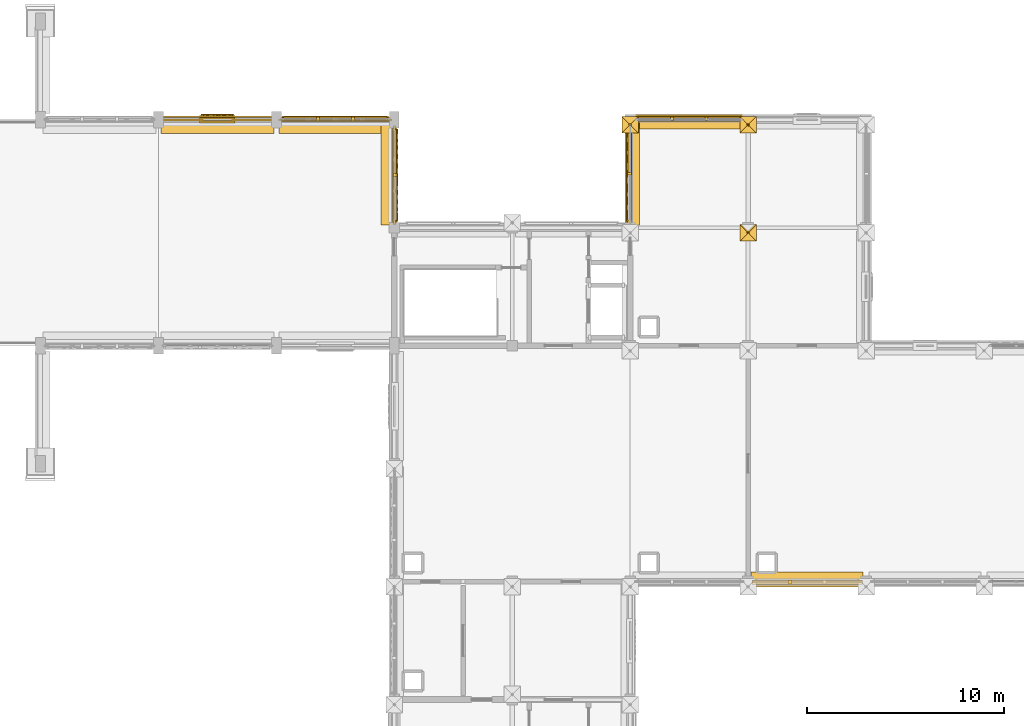
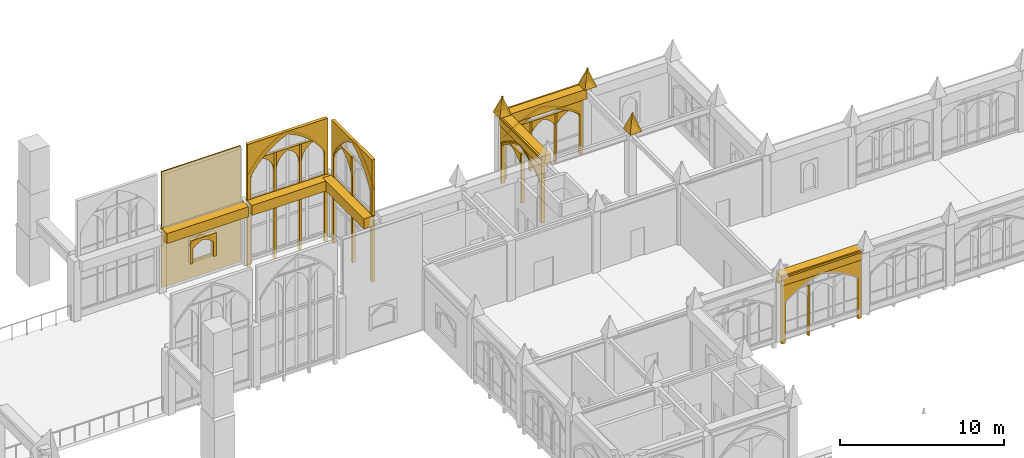
# One storey, part 102 of 108: 50 coverings.
"""IFC4 building model written with IfcOpenShell, lengths in metres."""

from ifc_helpers import new_model, si_unit, direction, frame, origin, origin_2d, place, context, subcontext, project, spatial, polyline, rectangle, outline, extrude, material, type_object, element, save


model = new_model("IFC4")

# Units and contexts
model_context = context("Model", 3, precision=1e-05, world=origin(), true_north=direction((0.0, 1.0)))
body_context = subcontext(model_context, "Body", "Model", "MODEL_VIEW")
ifc_project = project(units=[si_unit("LENGTHUNIT", "METRE"), si_unit("AREAUNIT", "SQUARE_METRE"), si_unit("VOLUMEUNIT", "CUBIC_METRE"), si_unit("PLANEANGLEUNIT", "RADIAN"), si_unit("MASSUNIT", "GRAM", prefix="KILO")], contexts=[model_context])

# Site, building, storey
site_placement = place(None, origin())
site = spatial("IfcSite", under=ifc_project, at=site_placement, CompositionType="ELEMENT")
building_placement = place(site_placement, origin())
building = spatial("IfcBuilding", under=site, at=building_placement, Name="Cumevento Cable Car Station", CompositionType="ELEMENT")
storey_placement = place(building_placement, frame((0.0, 0.0, 13.5)))
storey = spatial("IfcBuildingStorey", under=building, at=storey_placement, Name="L04", CompositionType="ELEMENT", Elevation=13.5)

# Coverings
ifc_material = material(Name="Gnaisse Facoidal Stone Ashlar 85 MPa", Category="masonry")
covering_type = type_object("IfcCoveringType", Name="Gnaisse Ashlar Cladding CV-CL01", PredefinedType="CLADDING", material=ifc_material)
for number, where, z_axis, x_axis, name in (
    (1, (129.580078125, 56.659912109375, 4.8701171875), (0.0, 0.951573760476, 0.30742052367), (1.0, 0.0, 0.0), "Gothic Buttress Pinnacle Spire Facet 1 bt:130.0:56.5"),
    (2, (130.419921875, 56.659912109375, 4.8701171875), (0.951573760476, 0.0, 0.30742052367), (0.0, -1.0, 0.0), "Gothic Buttress Pinnacle Spire Facet 2 bt:130.0:56.5"),
    (3, (130.419921875, 55.820068359375, 4.8701171875), (0.0, -0.951573760476, 0.30742052367), (-1.0, 0.0, 0.0), "Gothic Buttress Pinnacle Spire Facet 3 bt:130.0:56.5"),
    (4, (129.580078125, 55.820068359375, 4.8701171875), (-0.951573760476, 0.0, 0.30742052367), (0.0, 1.0, 0.0), "Gothic Buttress Pinnacle Spire Facet 4 bt:130.0:56.5"),
    (5, (136.419921875, 51.159912109375, 4.8701171875), (0.951573760476, 0.0, 0.30742052367), (0.0, -1.0, 0.0), "Gothic Buttress Pinnacle Spire Facet 2 bt:136.0:51.0"),
    (6, (136.419921875, 50.320068359375, 4.8701171875), (0.0, -0.951573760476, 0.30742052367), (-1.0, 0.0, 0.0), "Gothic Buttress Pinnacle Spire Facet 3 bt:136.0:51.0"),
    (7, (135.580078125, 50.320068359375, 4.8701171875), (-0.951573760476, 0.0, 0.30742052367), (0.0, 1.0, 0.0), "Gothic Buttress Pinnacle Spire Facet 4 bt:136.0:51.0"),
    (8, (135.580078125, 56.659912109375, 4.8701171875), (0.0, 0.951573760476, 0.30742052367), (1.0, 0.0, 0.0), "Gothic Buttress Pinnacle Spire Facet 1 bt:136.0:56.5"),
    (9, (136.419921875, 56.659912109375, 4.8701171875), (0.951573760476, 0.0, 0.30742052367), (0.0, -1.0, 0.0), "Gothic Buttress Pinnacle Spire Facet 2 bt:136.0:56.5"),
    (10, (136.419921875, 55.820068359375, 4.8701171875), (0.0, -0.951573760476, 0.30742052367), (-1.0, 0.0, 0.0), "Gothic Buttress Pinnacle Spire Facet 3 bt:136.0:56.5"),
    (11, (135.580078125, 55.820068359375, 4.8701171875), (-0.951573760476, 0.0, 0.30742052367), (0.0, 1.0, 0.0), "Gothic Buttress Pinnacle Spire Facet 4 bt:136.0:56.5"),
):
    element("IfcCovering", number, at=place(storey_placement, frame(where, z_axis=z_axis, x_axis=x_axis)), inside=storey, type_object=covering_type, Name=name, PredefinedType="CLADDING", context=body_context, shape_type="SweptSolid", body=[
        extrude(outline(polyline([(0.0, 0.0), (0.83984375, 0.0), (0.419921875, -1.3659526370817139), (0.0, 0.0)])), origin(), (0.0, 0.0, -1.0), 0.0849609375),
    ])
covering_1_placement = place(storey_placement, frame((109.0, 56.1298828125, 3.782958984375), z_axis=(0.0, 0.0, 1.0), x_axis=(1.0, 0.0, 0.0)))
element("IfcCovering", 12, at=covering_1_placement, inside=storey, type_object=covering_type, Name="Gothic Stone Spandrel Stringcourse sc:0741", PredefinedType="CLADDING", context=body_context, shape_type="SweptSolid", body=[
    extrude(rectangle(XDim=5.739990234375, YDim=0.659912109375, at=origin_2d()), origin(), (0.0, 0.0, 1.0), 0.7470703125),
])
covering_2_placement = place(storey_placement, frame((109.0, 56.487548828125, 4.400146484375), z_axis=(0.0, 0.0, 1.0), x_axis=(1.0, 0.0, 0.0)))
element("IfcCovering", 13, at=covering_2_placement, inside=storey, type_object=covering_type, Name="Gothic Cornice Dripstone Lip sc:0741", PredefinedType="CLADDING", context=body_context, shape_type="SweptSolid", body=[
    extrude(rectangle(XDim=5.780029296875, YDim=0.114990234375, at=origin_2d()), origin(), (0.0, 0.0, 1.0), 0.1298828125),
])
covering_3_placement = place(storey_placement, frame((115.0, 56.1298828125, 3.782958984375), z_axis=(0.0, 0.0, 1.0), x_axis=(1.0, 0.0, 0.0)))
element("IfcCovering", 14, at=covering_3_placement, inside=storey, type_object=covering_type, Name="Gothic Stone Spandrel Stringcourse sc:0742", PredefinedType="CLADDING", context=body_context, shape_type="SweptSolid", body=[
    extrude(rectangle(XDim=5.739990234375, YDim=0.659912109375, at=origin_2d()), origin(), (0.0, 0.0, 1.0), 0.7470703125),
])
covering_4_placement = place(storey_placement, frame((115.0, 56.487548828125, 4.400146484375), z_axis=(0.0, 0.0, 1.0), x_axis=(1.0, 0.0, 0.0)))
element("IfcCovering", 15, at=covering_4_placement, inside=storey, type_object=covering_type, Name="Gothic Cornice Dripstone Lip sc:0742", PredefinedType="CLADDING", context=body_context, shape_type="SweptSolid", body=[
    extrude(rectangle(XDim=5.780029296875, YDim=0.114990234375, at=origin_2d()), origin(), (0.0, 0.0, 1.0), 0.1298828125),
])
covering_5_placement = place(storey_placement, frame((117.64990234375, 53.675048828125, 3.782958984375), z_axis=(0.0, 0.0, 1.0), x_axis=(0.0, -1.0, 0.0)))
element("IfcCovering", 16, at=covering_5_placement, inside=storey, type_object=covering_type, Name="Gothic Stone Spandrel Stringcourse sc:0743", PredefinedType="CLADDING", context=body_context, shape_type="SweptSolid", body=[
    extrude(rectangle(XDim=5.0400390625, YDim=0.659912109375, at=origin_2d()), origin(), (0.0, 0.0, 1.0), 0.7470703125),
])
covering_6_placement = place(storey_placement, frame((118.007568359375, 53.675048828125, 4.400146484375), z_axis=(0.0, 0.0, 1.0), x_axis=(0.0, -1.0, 0.0)))
element("IfcCovering", 17, at=covering_6_placement, inside=storey, type_object=covering_type, Name="Gothic Cornice Dripstone Lip sc:0743", PredefinedType="CLADDING", context=body_context, shape_type="SweptSolid", body=[
    extrude(rectangle(XDim=5.080078125, YDim=0.114990234375, at=origin_2d()), origin(), (0.0, 0.0, 1.0), 0.1298828125),
])
covering_7_placement = place(storey_placement, frame((139.0, 33.14990234375, 4.032958984375), z_axis=(0.0, 0.0, 1.0), x_axis=(-1.0, 0.0, 0.0)))
element("IfcCovering", 18, at=covering_7_placement, inside=storey, type_object=covering_type, Name="Gothic Stone Spandrel Stringcourse sc:0760", PredefinedType="CLADDING", context=body_context, shape_type="SweptSolid", body=[
    extrude(rectangle(XDim=5.68994140625, YDim=0.659912109375, at=origin_2d()), origin(), (0.0, 0.0, 1.0), 0.7470703125),
])
covering_8_placement = place(storey_placement, frame((139.0, 32.79248046875, 4.650146484375), z_axis=(0.0, 0.0, 1.0), x_axis=(-1.0, 0.0, 0.0)))
element("IfcCovering", 19, at=covering_8_placement, inside=storey, type_object=covering_type, Name="Gothic Cornice Dripstone Lip sc:0760", PredefinedType="CLADDING", context=body_context, shape_type="SweptSolid", body=[
    extrude(rectangle(XDim=5.72998046875, YDim=0.114990234375, at=origin_2d()), origin(), (0.0, 0.0, 1.0), 0.1298828125),
])
covering_9_placement = place(storey_placement, frame((133.0, 56.35009765625, 4.032958984375), z_axis=(0.0, 0.0, 1.0), x_axis=(1.0, 0.0, 0.0)))
element("IfcCovering", 20, at=covering_9_placement, inside=storey, type_object=covering_type, Name="Gothic Stone Spandrel Stringcourse sc:0773", PredefinedType="CLADDING", context=body_context, shape_type="SweptSolid", body=[
    extrude(rectangle(XDim=5.68994140625, YDim=0.659912109375, at=origin_2d()), origin(), (0.0, 0.0, 1.0), 0.7470703125),
])
covering_10_placement = place(storey_placement, frame((133.0, 56.70751953125, 4.650146484375), z_axis=(0.0, 0.0, 1.0), x_axis=(1.0, 0.0, 0.0)))
element("IfcCovering", 21, at=covering_10_placement, inside=storey, type_object=covering_type, Name="Gothic Cornice Dripstone Lip sc:0773", PredefinedType="CLADDING", context=body_context, shape_type="SweptSolid", body=[
    extrude(rectangle(XDim=5.72998046875, YDim=0.114990234375, at=origin_2d()), origin(), (0.0, 0.0, 1.0), 0.1298828125),
])
covering_11_placement = place(storey_placement, frame((130.14990234375, 53.75, 4.032958984375), z_axis=(0.0, 0.0, 1.0), x_axis=(0.0, 1.0, 0.0)))
element("IfcCovering", 22, at=covering_11_placement, inside=storey, type_object=covering_type, Name="Gothic Stone Spandrel Stringcourse sc:0775", PredefinedType="CLADDING", context=body_context, shape_type="SweptSolid", body=[
    extrude(rectangle(XDim=5.18994140625, YDim=0.659912109375, at=origin_2d()), origin(), (0.0, 0.0, 1.0), 0.7470703125),
])
covering_12_placement = place(storey_placement, frame((129.79248046875, 53.75, 4.650146484375), z_axis=(0.0, 0.0, 1.0), x_axis=(0.0, 1.0, 0.0)))
element("IfcCovering", 23, at=covering_12_placement, inside=storey, type_object=covering_type, Name="Gothic Cornice Dripstone Lip sc:0775", PredefinedType="CLADDING", context=body_context, shape_type="SweptSolid", body=[
    extrude(rectangle(XDim=5.22998046875, YDim=0.114990234375, at=origin_2d()), origin(), (0.0, 0.0, 1.0), 0.1298828125),
])
placement_1 = place(storey_placement, frame((112.25, 56.5, -0.469970703125), z_axis=(0.0, 0.0, 1.0), x_axis=(1.0, 0.0, 0.0)))
element("IfcCovering", 24, at=placement_1, inside=storey, type_object=covering_type, Name="Gothic Ogival Pointed-Arch Stone Spandrel cw_ogival:0169", PredefinedType="CLADDING", context=body_context, shape_type="SweptSolid", body=[
    extrude(outline(polyline([(-0.080078125, 0.0), (-0.080078125, 9.14306640625), (5.580078125, 9.14306640625), (5.580078125, 0.0), (5.340087890625, 0.0), (5.340087890625, 6.712890625), (5.10400390625, 7.078125), (4.8388671875, 7.422607421875), (4.546630859375, 7.74462890625), (4.22900390625, 8.04150390625), (3.88818359375, 8.3115234375), (3.5263671875, 8.552734375), (3.146240234375, 8.763916015625), (2.75, 8.943115234375), (2.353759765625, 8.763916015625), (1.9736328125, 8.552734375), (1.61181640625, 8.3115234375), (1.27099609375, 8.04150390625), (0.953369140625, 7.74462890625), (0.6611328125, 7.422607421875), (0.39599609375, 7.078125), (0.159912109375, 6.712890625), (0.159912109375, 0.0), (-0.080078125, 0.0)])), frame((0.0, 0.139892578125, 0.0), z_axis=(0.0, -1.0, 0.0), x_axis=(1.0, 0.0, 0.0)), (0.0, 0.0, 1.0), 0.219970703125),
])
covering_14_placement = place(storey_placement, frame((112.25, 56.5, 6.242919921875), z_axis=(0.0, 0.0, 1.0), x_axis=(1.0, 0.0, 0.0)))
element("IfcCovering", 25, at=covering_14_placement, inside=storey, type_object=covering_type, Name="Gothic Pointed Archivolt Hood Moulding cw_ogival:0169", PredefinedType="CLADDING", context=body_context, shape_type="SweptSolid", body=[
    extrude(outline(polyline([(0.159912109375, 0.0), (0.39599609375, 0.365234375), (0.6611328125, 0.709716796875), (0.953369140625, 1.03173828125), (1.27099609375, 1.32861328125), (1.61181640625, 1.5986328125), (1.9736328125, 1.83984375), (2.353759765625, 2.05078125), (2.75, 2.22998046875), (3.146240234375, 2.05078125), (3.5263671875, 1.83984375), (3.88818359375, 1.5986328125), (4.22900390625, 1.32861328125), (4.546630859375, 1.03173828125), (4.8388671875, 0.709716796875), (5.10400390625, 0.365234375), (5.340087890625, 0.0), (5.449951171875, 0.0), (5.206787109375, 0.386962890625), (4.932373046875, 0.75244140625), (4.628662109375, 1.093994140625), (4.2978515625, 1.409423828125), (3.94189453125, 1.6962890625), (3.563720703125, 1.95263671875), (3.16552734375, 2.177001953125), (2.75, 2.367431640625), (2.33447265625, 2.177001953125), (1.936279296875, 1.95263671875), (1.55810546875, 1.6962890625), (1.2021484375, 1.409423828125), (0.871337890625, 1.093994140625), (0.567626953125, 0.75244140625), (0.293212890625, 0.386962890625), (0.050048828125, 0.0), (0.159912109375, 0.0)])), frame((0.0, 0.181884765625, 0.0), z_axis=(0.0, -1.0, 0.0), x_axis=(1.0, 0.0, 0.0)), (0.0, 0.0, 1.0), 0.06689453125),
])
element("IfcCovering", 26, at=placement_1, inside=storey, type_object=covering_type, Name="Gothic Bifora Stone Colonnette cw_ogival:0169 #1", PredefinedType="CLADDING", context=body_context, shape_type="SweptSolid", body=[
    extrude(outline(polyline([(1.78662109375, -0.02001953125), (1.936767578125, -0.02001953125), (1.936767578125, 7.87255859375), (1.78662109375, 7.87255859375), (1.78662109375, -0.02001953125)])), frame((0.0, 0.1279296875, 0.0), z_axis=(0.0, -1.0, 0.0), x_axis=(1.0, 0.0, 0.0)), (0.0, 0.0, 1.0), 0.205078125),
])
element("IfcCovering", 27, at=placement_1, inside=storey, type_object=covering_type, Name="Gothic Bifora Stone Colonnette cw_ogival:0169 #2", PredefinedType="CLADDING", context=body_context, shape_type="SweptSolid", body=[
    extrude(outline(polyline([(3.563232421875, -0.02001953125), (3.71337890625, -0.02001953125), (3.71337890625, 7.87255859375), (3.563232421875, 7.87255859375), (3.563232421875, -0.02001953125)])), frame((0.0, 0.1279296875, 0.0), z_axis=(0.0, -1.0, 0.0), x_axis=(1.0, 0.0, 0.0)), (0.0, 0.0, 1.0), 0.205078125),
])
for number, where, z_axis, x_axis, name in (
    (28, (112.3798828125, 56.5, 6.06298828125), (0.0, 0.0, 1.0), (1.0, 0.0, 0.0), "Gothic Ogival Pointed-Arch Stone Spandrel cw_ogival:0169:sub:0"),
    (29, (114.15673828125, 56.5, 6.06298828125), (0.0, 0.0, 1.0), (1.0, 0.0, 0.0), "Gothic Ogival Pointed-Arch Stone Spandrel cw_ogival:0169:sub:1"),
    (30, (115.933349609375, 56.5, 6.06298828125), (0.0, 0.0, 1.0), (1.0, 0.0, 0.0), "Gothic Ogival Pointed-Arch Stone Spandrel cw_ogival:0169:sub:2"),
):
    element("IfcCovering", number, at=place(storey_placement, frame(where, z_axis=z_axis, x_axis=x_axis)), inside=storey, type_object=covering_type, Name=name, PredefinedType="CLADDING", context=body_context, shape_type="SweptSolid", body=[
        extrude(outline(polyline([(-0.02001953125, 0.0), (-0.02001953125, 1.339599609375), (1.706787109375, 1.339599609375), (1.706787109375, 0.0), (1.646728515625, 0.0), (1.621826171875, 0.256103515625), (1.5478515625, 0.502685546875), (1.427978515625, 0.730224609375), (1.26611328125, 0.930419921875), (1.06884765625, 1.095458984375), (0.84326171875, 1.219482421875), (0.617919921875, 1.095458984375), (0.420654296875, 0.930419921875), (0.2587890625, 0.730224609375), (0.138916015625, 0.502685546875), (0.06494140625, 0.256103515625), (0.0400390625, 0.0), (-0.02001953125, 0.0)])), frame((0.0, 0.1240234375, 0.0), z_axis=(0.0, -1.0, 0.0), x_axis=(1.0, 0.0, 0.0)), (0.0, 0.0, 1.0), 0.199951171875),
    ])
placement_2 = place(storey_placement, frame((118.0, 56.074951171875, -0.419921875), z_axis=(0.0, 0.0, 1.0), x_axis=(0.0, -1.0, 0.0)))
element("IfcCovering", 31, at=placement_2, inside=storey, type_object=covering_type, Name="Gothic Ogival Pointed-Arch Stone Spandrel cw_ogival:0170", PredefinedType="CLADDING", context=body_context, shape_type="SweptSolid", body=[
    extrude(outline(polyline([(-0.080078125, 0.0), (-0.080078125, 9.093017578125), (4.8798828125, 9.093017578125), (4.8798828125, 0.0), (4.639892578125, 0.0), (4.639892578125, 6.6630859375), (4.456298828125, 7.0224609375), (4.2412109375, 7.364013671875), (3.99609375, 7.6845703125), (3.72314453125, 7.981689453125), (3.424560546875, 8.253662109375), (3.102783203125, 8.497314453125), (2.76025390625, 8.7109375), (2.39990234375, 8.89306640625), (2.039794921875, 8.7109375), (1.697265625, 8.497314453125), (1.37548828125, 8.253662109375), (1.076904296875, 7.981689453125), (0.803955078125, 7.6845703125), (0.558837890625, 7.364013671875), (0.34375, 7.0224609375), (0.159912109375, 6.6630859375), (0.159912109375, 0.0), (-0.080078125, 0.0)])), frame((0.0, 0.139892578125, 0.0), z_axis=(0.0, -1.0, 0.0), x_axis=(1.0, 0.0, 0.0)), (0.0, 0.0, 1.0), 0.219970703125),
])
covering_18_placement = place(storey_placement, frame((118.0, 56.074951171875, 6.242919921875), z_axis=(0.0, 0.0, 1.0), x_axis=(0.0, -1.0, 0.0)))
element("IfcCovering", 32, at=covering_18_placement, inside=storey, type_object=covering_type, Name="Gothic Pointed Archivolt Hood Moulding cw_ogival:0170", PredefinedType="CLADDING", context=body_context, shape_type="SweptSolid", body=[
    extrude(outline(polyline([(0.159912109375, 0.0), (0.34375, 0.359375), (0.558837890625, 0.700927734375), (0.803955078125, 1.021484375), (1.076904296875, 1.31884765625), (1.37548828125, 1.590576171875), (1.697265625, 1.834228515625), (2.039794921875, 2.0478515625), (2.39990234375, 2.22998046875), (2.76025390625, 2.0478515625), (3.102783203125, 1.834228515625), (3.424560546875, 1.590576171875), (3.72314453125, 1.31884765625), (3.99609375, 1.021484375), (4.2412109375, 0.700927734375), (4.456298828125, 0.359375), (4.639892578125, 0.0), (4.75, 0.0), (4.559326171875, 0.381103515625), (4.334716796875, 0.7431640625), (4.078369140625, 1.083740234375), (3.792236328125, 1.3994140625), (3.478759765625, 1.68798828125), (3.14013671875, 1.94677734375), (2.77978515625, 2.173828125), (2.39990234375, 2.367431640625), (2.020263671875, 2.173828125), (1.659912109375, 1.94677734375), (1.3212890625, 1.68798828125), (1.0078125, 1.3994140625), (0.7216796875, 1.083740234375), (0.46533203125, 0.7431640625), (0.24072265625, 0.381103515625), (0.050048828125, 0.0), (0.159912109375, 0.0)])), frame((0.0, 0.181884765625, 0.0), z_axis=(0.0, -1.0, 0.0), x_axis=(1.0, 0.0, 0.0)), (0.0, 0.0, 1.0), 0.06689453125),
])
element("IfcCovering", 33, at=placement_2, inside=storey, type_object=covering_type, Name="Gothic Bifora Stone Colonnette cw_ogival:0170 #1", PredefinedType="CLADDING", context=body_context, shape_type="SweptSolid", body=[
    extrude(outline(polyline([(2.324951171875, -0.02001953125), (2.47509765625, -0.02001953125), (2.47509765625, 7.822509765625), (2.324951171875, 7.822509765625), (2.324951171875, -0.02001953125)])), frame((0.0, 0.1279296875, 0.0), z_axis=(0.0, -1.0, 0.0), x_axis=(1.0, 0.0, 0.0)), (0.0, 0.0, 1.0), 0.205078125),
])
covering_20_placement = place(storey_placement, frame((118.0, 55.945068359375, 6.06298828125), z_axis=(0.0, 0.0, 1.0), x_axis=(0.0, -1.0, 0.0)))
element("IfcCovering", 34, at=covering_20_placement, inside=storey, type_object=covering_type, Name="Gothic Ogival Pointed-Arch Stone Spandrel cw_ogival:0170:sub:0", PredefinedType="CLADDING", context=body_context, shape_type="SweptSolid", body=[
    extrude(outline(polyline([(-0.02001953125, 0.0), (-0.02001953125, 1.339599609375), (2.2451171875, 1.339599609375), (2.2451171875, 0.0), (2.18505859375, 0.0), (2.078125, 0.256103515625), (1.938720703125, 0.49609375), (1.76953125, 0.7158203125), (1.572998046875, 0.911865234375), (1.352783203125, 1.080810546875), (1.112548828125, 1.219482421875), (0.872314453125, 1.080810546875), (0.652099609375, 0.911865234375), (0.45556640625, 0.7158203125), (0.286376953125, 0.49609375), (0.14697265625, 0.256103515625), (0.0400390625, 0.0), (-0.02001953125, 0.0)])), frame((0.0, 0.1240234375, 0.0), z_axis=(0.0, -1.0, 0.0), x_axis=(1.0, 0.0, 0.0)), (0.0, 0.0, 1.0), 0.199951171875),
])
placement_3 = place(storey_placement, frame((141.72509765625, 33.0, -0.320068359375), z_axis=(0.0, 0.0, 1.0), x_axis=(-1.0, 0.0, 0.0)))
element("IfcCovering", 35, at=placement_3, inside=storey, type_object=covering_type, Name="Gothic Ogival Pointed-Arch Stone Spandrel cw_ogival:0180", PredefinedType="CLADDING", context=body_context, shape_type="SweptSolid", body=[
    extrude(outline(polyline([(-0.080078125, 0.0), (-0.080078125, 4.492919921875), (5.530029296875, 4.492919921875), (5.530029296875, 0.0), (5.2900390625, 0.0), (5.2900390625, 3.069091796875), (4.999755859375, 3.2783203125), (4.69921875, 3.47216796875), (4.38916015625, 3.650634765625), (4.0703125, 3.812744140625), (3.74365234375, 3.95849609375), (3.409912109375, 4.08740234375), (3.070068359375, 4.198974609375), (2.72509765625, 4.29296875), (2.3798828125, 4.198974609375), (2.0400390625, 4.08740234375), (1.706298828125, 3.95849609375), (1.379638671875, 3.812744140625), (1.060791015625, 3.650634765625), (0.750732421875, 3.47216796875), (0.4501953125, 3.2783203125), (0.159912109375, 3.069091796875), (0.159912109375, 0.0), (-0.080078125, 0.0)])), frame((0.0, 0.139892578125, 0.0), z_axis=(0.0, -1.0, 0.0), x_axis=(1.0, 0.0, 0.0)), (0.0, 0.0, 1.0), 0.219970703125),
])
element("IfcCovering", 36, at=placement_3, inside=storey, type_object=covering_type, Name="Gothic Bifora Stone Colonnette cw_ogival:0180 #2", PredefinedType="CLADDING", context=body_context, shape_type="SweptSolid", body=[
    extrude(outline(polyline([(3.530029296875, -0.02001953125), (3.679931640625, -0.02001953125), (3.679931640625, 3.70556640625), (3.530029296875, 3.70556640625), (3.530029296875, -0.02001953125)])), frame((0.0, 0.1279296875, 0.0), z_axis=(0.0, -1.0, 0.0), x_axis=(1.0, 0.0, 0.0)), (0.0, 0.0, 1.0), 0.205078125),
])
placement_4 = place(storey_placement, frame((130.27490234375, 56.5, -0.27001953125), z_axis=(0.0, 0.0, 1.0), x_axis=(1.0, 0.0, 0.0)))
element("IfcCovering", 37, at=placement_4, inside=storey, type_object=covering_type, Name="Gothic Ogival Pointed-Arch Stone Spandrel cw_ogival:0189", PredefinedType="CLADDING", context=body_context, shape_type="SweptSolid", body=[
    extrude(outline(polyline([(-0.080078125, 0.0), (-0.080078125, 4.443115234375), (5.530029296875, 4.443115234375), (5.530029296875, 0.0), (5.2900390625, 0.0), (5.2900390625, 3.037109375), (4.9990234375, 3.243408203125), (4.69775390625, 3.4345703125), (4.387451171875, 3.6103515625), (4.068603515625, 3.77001953125), (3.7421875, 3.91357421875), (3.40869140625, 4.04052734375), (3.0693359375, 4.150390625), (2.72509765625, 4.242919921875), (2.380615234375, 4.150390625), (2.041259765625, 4.04052734375), (1.707763671875, 3.91357421875), (1.38134765625, 3.77001953125), (1.0625, 3.6103515625), (0.752197265625, 3.4345703125), (0.450927734375, 3.243408203125), (0.159912109375, 3.037109375), (0.159912109375, 0.0), (-0.080078125, 0.0)])), frame((0.0, 0.139892578125, 0.0), z_axis=(0.0, -1.0, 0.0), x_axis=(1.0, 0.0, 0.0)), (0.0, 0.0, 1.0), 0.219970703125),
])
covering_24_placement = place(storey_placement, frame((130.27490234375, 56.5, 2.76708984375), z_axis=(0.0, 0.0, 1.0), x_axis=(1.0, 0.0, 0.0)))
element("IfcCovering", 38, at=covering_24_placement, inside=storey, type_object=covering_type, Name="Gothic Pointed Archivolt Hood Moulding cw_ogival:0189", PredefinedType="CLADDING", context=body_context, shape_type="SweptSolid", body=[
    extrude(outline(polyline([(0.159912109375, 0.0), (0.450927734375, 0.206298828125), (0.752197265625, 0.3974609375), (1.0625, 0.5732421875), (1.38134765625, 0.73291015625), (1.707763671875, 0.87646484375), (2.041259765625, 1.00341796875), (2.380615234375, 1.11328125), (2.72509765625, 1.205810546875), (3.0693359375, 1.11328125), (3.40869140625, 1.00341796875), (3.7421875, 0.87646484375), (4.068603515625, 0.73291015625), (4.387451171875, 0.5732421875), (4.69775390625, 0.3974609375), (4.9990234375, 0.206298828125), (5.2900390625, 0.0), (5.39990234375, 0.0), (5.100341796875, 0.22900390625), (4.7890625, 0.441650390625), (4.466796875, 0.63720703125), (4.134521484375, 0.8154296875), (3.793212890625, 0.9755859375), (3.44384765625, 1.1171875), (3.08740234375, 1.239990234375), (2.72509765625, 1.343505859375), (2.362548828125, 1.239990234375), (2.006103515625, 1.1171875), (1.65673828125, 0.9755859375), (1.3154296875, 0.8154296875), (0.983154296875, 0.63720703125), (0.660888671875, 0.441650390625), (0.349609375, 0.22900390625), (0.050048828125, 0.0), (0.159912109375, 0.0)])), frame((0.0, 0.181884765625, 0.0), z_axis=(0.0, -1.0, 0.0), x_axis=(1.0, 0.0, 0.0)), (0.0, 0.0, 1.0), 0.06689453125),
])
element("IfcCovering", 39, at=placement_4, inside=storey, type_object=covering_type, Name="Gothic Bifora Stone Colonnette cw_ogival:0189 #1", PredefinedType="CLADDING", context=body_context, shape_type="SweptSolid", body=[
    extrude(outline(polyline([(1.77001953125, -0.02001953125), (1.919921875, -0.02001953125), (1.919921875, 3.664306640625), (1.77001953125, 3.664306640625), (1.77001953125, -0.02001953125)])), frame((0.0, 0.1279296875, 0.0), z_axis=(0.0, -1.0, 0.0), x_axis=(1.0, 0.0, 0.0)), (0.0, 0.0, 1.0), 0.205078125),
])
element("IfcCovering", 40, at=placement_4, inside=storey, type_object=covering_type, Name="Gothic Bifora Stone Colonnette cw_ogival:0189 #2", PredefinedType="CLADDING", context=body_context, shape_type="SweptSolid", body=[
    extrude(outline(polyline([(3.530029296875, -0.02001953125), (3.679931640625, -0.02001953125), (3.679931640625, 3.664306640625), (3.530029296875, 3.664306640625), (3.530029296875, -0.02001953125)])), frame((0.0, 0.1279296875, 0.0), z_axis=(0.0, -1.0, 0.0), x_axis=(1.0, 0.0, 0.0)), (0.0, 0.0, 1.0), 0.205078125),
])
for number, where, z_axis, x_axis, name in (
    (41, (130.405029296875, 56.5, 2.587158203125), (0.0, 0.0, 1.0), (1.0, 0.0, 0.0), "Gothic Ogival Pointed-Arch Stone Spandrel cw_ogival:0189:sub:0"),
    (42, (132.1650390625, 56.5, 2.587158203125), (0.0, 0.0, 1.0), (1.0, 0.0, 0.0), "Gothic Ogival Pointed-Arch Stone Spandrel cw_ogival:0189:sub:1"),
    (43, (133.925048828125, 56.5, 2.587158203125), (0.0, 0.0, 1.0), (1.0, 0.0, 0.0), "Gothic Ogival Pointed-Arch Stone Spandrel cw_ogival:0189:sub:2"),
):
    element("IfcCovering", number, at=place(storey_placement, frame(where, z_axis=z_axis, x_axis=x_axis)), inside=storey, type_object=covering_type, Name=name, PredefinedType="CLADDING", context=body_context, shape_type="SweptSolid", body=[
        extrude(outline(polyline([(-0.02001953125, 0.0), (-0.02001953125, 0.80712890625), (1.68994140625, 0.80712890625), (1.68994140625, 0.0), (1.6298828125, 0.0), (1.531494140625, 0.148681640625), (1.41748046875, 0.28564453125), (1.289306640625, 0.4091796875), (1.148193359375, 0.518310546875), (0.99609375, 0.611328125), (0.8349609375, 0.68701171875), (0.673828125, 0.611328125), (0.521728515625, 0.518310546875), (0.380615234375, 0.4091796875), (0.25244140625, 0.28564453125), (0.138427734375, 0.148681640625), (0.0400390625, 0.0), (-0.02001953125, 0.0)])), frame((0.0, 0.1240234375, 0.0), z_axis=(0.0, -1.0, 0.0), x_axis=(1.0, 0.0, 0.0)), (0.0, 0.0, 1.0), 0.199951171875),
    ])
placement_5 = place(storey_placement, frame((130.0, 51.27490234375, -0.219970703125), z_axis=(0.0, 0.0, 1.0), x_axis=(0.0, 1.0, 0.0)))
element("IfcCovering", 44, at=placement_5, inside=storey, type_object=covering_type, Name="Gothic Ogival Pointed-Arch Stone Spandrel cw_ogival:0190", PredefinedType="CLADDING", context=body_context, shape_type="SweptSolid", body=[
    extrude(outline(polyline([(-0.080078125, 0.0), (-0.080078125, 4.39306640625), (5.030029296875, 4.39306640625), (5.030029296875, 0.0), (4.7900390625, 0.0), (4.7900390625, 3.005126953125), (4.531982421875, 3.207275390625), (4.263427734375, 3.395263671875), (3.98486328125, 3.568359375), (3.697509765625, 3.725830078125), (3.40185546875, 3.867431640625), (3.098876953125, 3.99267578125), (2.789794921875, 4.101318359375), (2.47509765625, 4.193115234375), (2.16015625, 4.101318359375), (1.85107421875, 3.99267578125), (1.548095703125, 3.867431640625), (1.25244140625, 3.725830078125), (0.965087890625, 3.568359375), (0.6865234375, 3.395263671875), (0.41796875, 3.207275390625), (0.159912109375, 3.005126953125), (0.159912109375, 0.0), (-0.080078125, 0.0)])), frame((0.0, 0.139892578125, 0.0), z_axis=(0.0, -1.0, 0.0), x_axis=(1.0, 0.0, 0.0)), (0.0, 0.0, 1.0), 0.219970703125),
])
covering_28_placement = place(storey_placement, frame((130.0, 51.27490234375, 2.78515625), z_axis=(0.0, 0.0, 1.0), x_axis=(0.0, 1.0, 0.0)))
element("IfcCovering", 45, at=covering_28_placement, inside=storey, type_object=covering_type, Name="Gothic Pointed Archivolt Hood Moulding cw_ogival:0190", PredefinedType="CLADDING", context=body_context, shape_type="SweptSolid", body=[
    extrude(outline(polyline([(0.159912109375, 0.0), (0.41796875, 0.2021484375), (0.6865234375, 0.39013671875), (0.965087890625, 0.563232421875), (1.25244140625, 0.720703125), (1.548095703125, 0.8623046875), (1.85107421875, 0.987548828125), (2.16015625, 1.09619140625), (2.47509765625, 1.18798828125), (2.789794921875, 1.09619140625), (3.098876953125, 0.987548828125), (3.40185546875, 0.8623046875), (3.697509765625, 0.720703125), (3.98486328125, 0.563232421875), (4.263427734375, 0.39013671875), (4.531982421875, 0.2021484375), (4.7900390625, 0.0), (4.89990234375, 0.0), (4.6337890625, 0.224853515625), (4.355224609375, 0.43408203125), (4.06494140625, 0.626953125), (3.763916015625, 0.802734375), (3.45361328125, 0.961181640625), (3.134521484375, 1.101318359375), (2.807861328125, 1.222900390625), (2.47509765625, 1.325439453125), (2.14208984375, 1.222900390625), (1.8154296875, 1.101318359375), (1.496337890625, 0.961181640625), (1.18603515625, 0.802734375), (0.885009765625, 0.626953125), (0.5947265625, 0.43408203125), (0.316162109375, 0.224853515625), (0.050048828125, 0.0), (0.159912109375, 0.0)])), frame((0.0, 0.181884765625, 0.0), z_axis=(0.0, -1.0, 0.0), x_axis=(1.0, 0.0, 0.0)), (0.0, 0.0, 1.0), 0.06689453125),
])
element("IfcCovering", 46, at=placement_5, inside=storey, type_object=covering_type, Name="Gothic Bifora Stone Colonnette cw_ogival:0190 #1", PredefinedType="CLADDING", context=body_context, shape_type="SweptSolid", body=[
    extrude(outline(polyline([(2.39990234375, -0.02001953125), (2.550048828125, -0.02001953125), (2.550048828125, 3.622802734375), (2.39990234375, 3.622802734375), (2.39990234375, -0.02001953125)])), frame((0.0, 0.1279296875, 0.0), z_axis=(0.0, -1.0, 0.0), x_axis=(1.0, 0.0, 0.0)), (0.0, 0.0, 1.0), 0.205078125),
])
covering_30_placement = place(storey_placement, frame((130.0, 53.794921875, 2.60498046875), z_axis=(0.0, 0.0, 1.0), x_axis=(0.0, 1.0, 0.0)))
element("IfcCovering", 47, at=covering_30_placement, inside=storey, type_object=covering_type, Name="Gothic Ogival Pointed-Arch Stone Spandrel cw_ogival:0190:sub:1", PredefinedType="CLADDING", context=body_context, shape_type="SweptSolid", body=[
    extrude(outline(polyline([(-0.02001953125, 0.0), (-0.02001953125, 0.797607421875), (2.320068359375, 0.797607421875), (2.320068359375, 0.0), (2.260009765625, 0.0), (2.10107421875, 0.150634765625), (1.929931640625, 0.287353515625), (1.748046875, 0.4091796875), (1.556396484375, 0.515380859375), (1.356689453125, 0.60498046875), (1.14990234375, 0.677734375), (0.943359375, 0.60498046875), (0.74365234375, 0.515380859375), (0.552001953125, 0.4091796875), (0.3701171875, 0.287353515625), (0.198974609375, 0.150634765625), (0.0400390625, 0.0), (-0.02001953125, 0.0)])), frame((0.0, 0.1240234375, 0.0), z_axis=(0.0, -1.0, 0.0), x_axis=(1.0, 0.0, 0.0)), (0.0, 0.0, 1.0), 0.199951171875),
])
covering_31_placement = place(storey_placement, frame((106.25, 56.5, 0.0), z_axis=(0.0, 0.0, 1.0), x_axis=(1.0, 0.0, 0.0)))
element("IfcCovering", 48, at=covering_31_placement, inside=storey, type_object=covering_type, Name="Exterior Gnaisse Stone Wall Ashlar #280", PredefinedType="CLADDING", context=body_context, shape_type="SweptSolid", body=[
    extrude(outline(polyline([(-0.0400390625, -0.02001953125), (5.5400390625, -0.02001953125), (5.5400390625, 8.613037109375), (-0.0400390625, 8.613037109375), (-0.0400390625, -0.02001953125)]), holes=[polyline([(2.034912109375, 1.31005859375), (3.465087890625, 1.31005859375), (3.465087890625, 2.739990234375), (2.034912109375, 2.739990234375), (2.034912109375, 1.31005859375)])]), frame((0.0, 0.18505859375, 0.0), z_axis=(0.0, -1.0, 0.0), x_axis=(1.0, 0.0, 0.0)), (0.0, 0.0, 1.0), 0.0849609375),
])
covering_32_placement = place(storey_placement, frame((108.135009765625, 56.5, 1.25), z_axis=(0.0, 0.0, 1.0), x_axis=(1.0, 0.0, 0.0)))
element("IfcCovering", 49, at=covering_32_placement, inside=storey, type_object=covering_type, Name="Gothic Ogival Pointed-Arch Stone Spandrel op_ogival:0280:1", PredefinedType="CLADDING", context=body_context, shape_type="SweptSolid", body=[
    extrude(outline(polyline([(-0.0400390625, 0.0), (-0.0400390625, 1.719970703125), (1.77001953125, 1.719970703125), (1.77001953125, 0.0), (1.590087890625, 0.0), (1.590087890625, 1.093994140625), (1.501708984375, 1.179443359375), (1.407470703125, 1.25830078125), (1.3076171875, 1.330078125), (1.202880859375, 1.39453125), (1.093994140625, 1.451171875), (0.98095703125, 1.499755859375), (0.864990234375, 1.5400390625), (0.7490234375, 1.499755859375), (0.635986328125, 1.451171875), (0.527099609375, 1.39453125), (0.42236328125, 1.330078125), (0.322509765625, 1.25830078125), (0.228271484375, 1.179443359375), (0.139892578125, 1.093994140625), (0.139892578125, 0.0), (-0.0400390625, 0.0)])), frame((0.0, 0.222900390625, 0.0), z_axis=(0.0, -1.0, 0.0), x_axis=(1.0, 0.0, 0.0)), (0.0, 0.0, 1.0), 0.39990234375),
])
covering_33_placement = place(storey_placement, frame((108.135009765625, 56.5, 2.343994140625), z_axis=(0.0, 0.0, 1.0), x_axis=(1.0, 0.0, 0.0)))
element("IfcCovering", 50, at=covering_33_placement, inside=storey, type_object=covering_type, Name="Gothic Pointed Archivolt Hood Moulding op_ogival:0280:1", PredefinedType="CLADDING", context=body_context, shape_type="SweptSolid", body=[
    extrude(outline(polyline([(0.139892578125, 0.0), (0.228271484375, 0.08544921875), (0.322509765625, 0.164306640625), (0.42236328125, 0.236083984375), (0.527099609375, 0.300537109375), (0.635986328125, 0.357177734375), (0.7490234375, 0.40576171875), (0.864990234375, 0.446044921875), (0.98095703125, 0.40576171875), (1.093994140625, 0.357177734375), (1.202880859375, 0.300537109375), (1.3076171875, 0.236083984375), (1.407470703125, 0.164306640625), (1.501708984375, 0.08544921875), (1.590087890625, 0.0), (1.68896484375, 0.0), (1.592529296875, 0.108154296875), (1.488037109375, 0.20849609375), (1.375732421875, 0.30029296875), (1.25634765625, 0.382568359375), (1.131103515625, 0.455322265625), (1.000244140625, 0.517822265625), (0.864990234375, 0.56982421875), (0.729736328125, 0.517822265625), (0.598876953125, 0.455322265625), (0.4736328125, 0.382568359375), (0.354248046875, 0.30029296875), (0.241943359375, 0.20849609375), (0.137451171875, 0.108154296875), (0.041015625, 0.0), (0.139892578125, 0.0)])), frame((0.0, 0.264892578125, 0.0), z_axis=(0.0, -1.0, 0.0), x_axis=(1.0, 0.0, 0.0)), (0.0, 0.0, 1.0), 0.06689453125),
])

save(model, "model.ifc")
